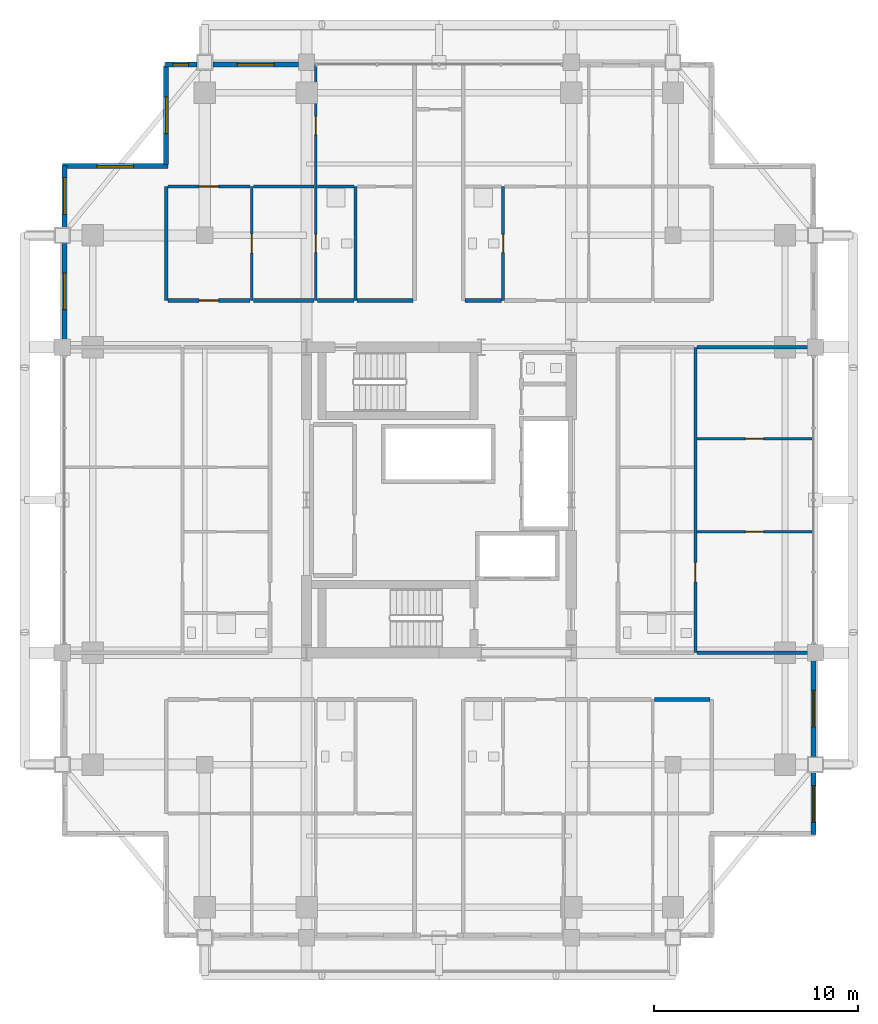
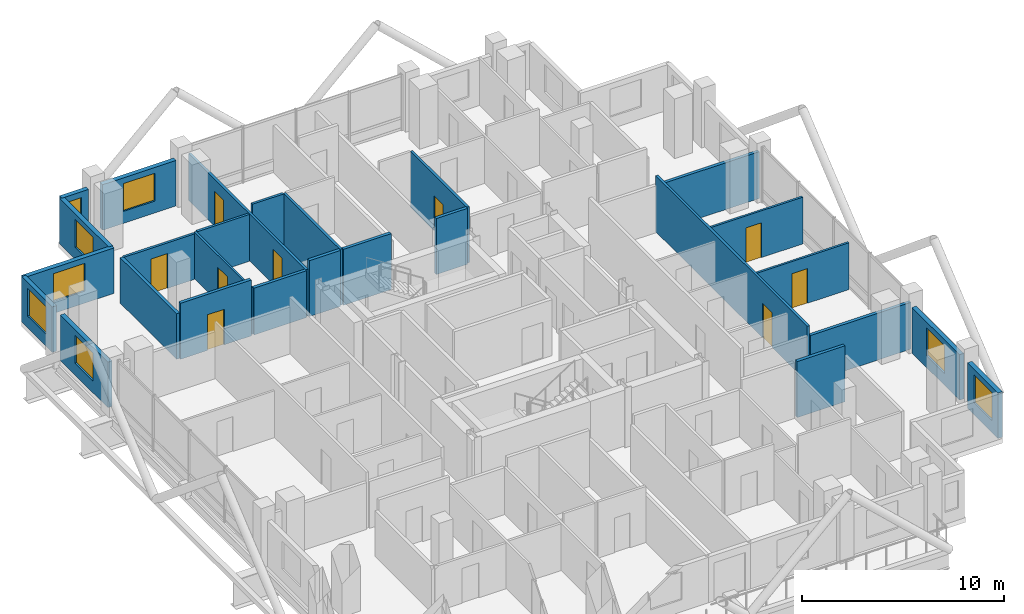
# One storey, part 19 of 23: 27 walls, 9 doors, 8 windows, 17 openings.
"""IFC4 building model written with IfcOpenShell, lengths in metres."""

from ifc_helpers import new_model, si_unit, direction, frame, frame_2d, origin, place, context, subcontext, project, spatial, rectangle, extrude, material, layer, layer_set, type_object, element, fill, save


model = new_model("IFC4")

# Units and contexts
model_context = context("Model", 3, precision=1e-05, world=origin(), true_north=direction((0.0, 1.0)))
body_context = subcontext(model_context, "Body", "Model", "MODEL_VIEW")
ifc_project = project(units=[si_unit("LENGTHUNIT", "METRE"), si_unit("AREAUNIT", "SQUARE_METRE"), si_unit("VOLUMEUNIT", "CUBIC_METRE"), si_unit("PLANEANGLEUNIT", "RADIAN"), si_unit("MASSUNIT", "GRAM", prefix="KILO")], contexts=[model_context])

# Site, building, storey
site_placement = place(None, origin())
site = spatial("IfcSite", under=ifc_project, at=site_placement, CompositionType="ELEMENT")
building_placement = place(site_placement, origin())
building = spatial("IfcBuilding", under=site, at=building_placement, Name="Barlavira Tower and Art Museum", CompositionType="ELEMENT")
storey_placement = place(building_placement, frame((0.0, 0.0, 165.60009765625)))
storey = spatial("IfcBuildingStorey", under=building, at=storey_placement, Name="L42", CompositionType="ELEMENT", Elevation=165.60009765625)

# Wall, opening, door
ifc_material_1 = material(Name="Gypsum acoustic stud partition", Category="gypsum")
ifc_layer_1 = layer(ifc_material_1, 0.1201171875, Name="Gypsum acoustic stud partition")
ifc_layer_set_1 = layer_set([ifc_layer_1], Name="Gypsum acoustic stud partition")
wall_type_1 = type_object("IfcWallType", Name="Apartment Internal Acoustic Partition 120", PredefinedType="PARTITIONING", material=ifc_layer_set_1)
wall_1_placement = place(storey_placement, frame((-9.199951171875, 9.800048828125, 0.0), z_axis=(0.0, 0.0, 1.0), x_axis=(0.0, 1.0, 0.0)))
wall_1 = element("IfcWall", 1, at=wall_1_placement, inside=storey, type_object=wall_type_1, Name="L42 Partition Wall 5", PredefinedType="PARTITIONING", context=body_context, shape_type="SweptSolid", body=[
    extrude(rectangle(XDim=5.599853515625, YDim=0.1201171875, at=frame_2d((2.7998046875, 0.0))), origin(), (0.0, 0.0, 1.0), 2.825927734375),
])
opening_1_placement = place(wall_1_placement, frame((2.324951171875, 0.0, 0.0)))
opening_1 = element("IfcOpeningElement", 2, at=opening_1_placement, cuts=wall_1, Name="Opening D-02", PredefinedType="OPENING", context=body_context, shape_type="SweptSolid", body=[
    extrude(rectangle(XDim=0.949951171875, YDim=2.10009765625, at=frame_2d((0.47509765625, 1.050048828125))), frame((0.0, 0.070068359375, 0.0), z_axis=(0.0, -1.0, 0.0), x_axis=(1.0, 0.0, 0.0)), (0.0, 0.0, 1.0), 0.14013671875),
])
ifc_material_2 = material(Name="Engineered coastal hardwood", Category="wood")
door_type_1 = type_object("IfcDoorType", Name="Living and Salon Glazed-Leaf Door 950x2100", OperationType="NOTDEFINED", PredefinedType="DOOR", material=ifc_material_2)
door_1_placement = place(opening_1_placement, origin())
door_1 = element("IfcDoor", 3, at=door_1_placement, inside=storey, type_object=door_type_1, Name="Apartment NW1 Kitchen Door", OperationType="SINGLE_SWING_LEFT", OverallHeight=2.10009765625, OverallWidth=0.949951171875, PredefinedType="DOOR", context=body_context, shape_type="SweptSolid", body=[
    extrude(rectangle(XDim=0.949951171875, YDim=2.10009765625, at=frame_2d((0.47509765625, 1.050048828125))), frame((0.0, 0.02490234375, 0.0), z_axis=(0.0, -1.0, 0.0), x_axis=(1.0, 0.0, 0.0)), (0.0, 0.0, 1.0), 0.050048828125),
])
fill(opening_1, door_1)

wall_2_placement = place(storey_placement, frame((12.679931640625, -1.550048828125, 0.0), z_axis=(0.0, 0.0, 1.0), x_axis=(1.0, 0.0, 0.0)))
wall_2 = element("IfcWall", 4, at=wall_2_placement, inside=storey, type_object=wall_type_1, Name="L42 Partition Wall 55", PredefinedType="PARTITIONING", context=body_context, shape_type="SweptSolid", body=[
    extrude(rectangle(XDim=5.64013671875, YDim=0.1201171875, at=frame_2d((2.820068359375, 0.0))), origin(), (0.0, 0.0, 1.0), 2.825927734375),
])
opening_2_placement = place(wall_2_placement, frame((2.3701171875, 0.0, 0.0)))
opening_2 = element("IfcOpeningElement", 5, at=opening_2_placement, cuts=wall_2, Name="Opening D-01", PredefinedType="OPENING", context=body_context, shape_type="SweptSolid", body=[
    extrude(rectangle(XDim=0.89990234375, YDim=2.10009765625, at=frame_2d((0.449951171875, 1.050048828125))), frame((0.0, 0.070068359375, 0.0), z_axis=(0.0, -1.0, 0.0), x_axis=(1.0, 0.0, 0.0)), (0.0, 0.0, 1.0), 0.14013671875),
])
door_type_2 = type_object("IfcDoorType", Name="Internal Bedroom Timber Flush Door 900x2100", OperationType="NOTDEFINED", PredefinedType="DOOR", material=ifc_material_2)
door_2_placement = place(opening_2_placement, origin())
door_2 = element("IfcDoor", 6, at=door_2_placement, inside=storey, type_object=door_type_2, Name="Apartment E1 Bedroom 1 Door", OperationType="SINGLE_SWING_RIGHT", OverallHeight=2.10009765625, OverallWidth=0.89990234375, PredefinedType="DOOR", context=body_context, shape_type="SweptSolid", body=[
    extrude(rectangle(XDim=0.89990234375, YDim=2.10009765625, at=frame_2d((0.449951171875, 1.050048828125))), frame((0.0, 0.02490234375, 0.0), z_axis=(0.0, -1.0, 0.0), x_axis=(1.0, 0.0, 0.0)), (0.0, 0.0, 1.0), 0.050048828125),
])
fill(opening_2, door_2)

wall_3_placement = place(storey_placement, frame((12.679931640625, 3.0, 0.0), z_axis=(0.0, 0.0, 1.0), x_axis=(1.0, 0.0, 0.0)))
wall_3 = element("IfcWall", 7, at=wall_3_placement, inside=storey, type_object=wall_type_1, Name="L42 Partition Wall 59", PredefinedType="PARTITIONING", context=body_context, shape_type="SweptSolid", body=[
    extrude(rectangle(XDim=5.64013671875, YDim=0.1201171875, at=frame_2d((2.820068359375, 0.0))), origin(), (0.0, 0.0, 1.0), 2.825927734375),
])
opening_3_placement = place(wall_3_placement, frame((2.3701171875, 0.0, 0.0)))
opening_3 = element("IfcOpeningElement", 8, at=opening_3_placement, cuts=wall_3, Name="Opening D-01", PredefinedType="OPENING", context=body_context, shape_type="SweptSolid", body=[
    extrude(rectangle(XDim=0.89990234375, YDim=2.10009765625, at=frame_2d((0.449951171875, 1.050048828125))), frame((0.0, 0.070068359375, 0.0), z_axis=(0.0, -1.0, 0.0), x_axis=(1.0, 0.0, 0.0)), (0.0, 0.0, 1.0), 0.14013671875),
])
door_3_placement = place(opening_3_placement, origin())
door_3 = element("IfcDoor", 9, at=door_3_placement, inside=storey, type_object=door_type_2, Name="Apartment E1 Bedroom 2 Door", OperationType="SINGLE_SWING_LEFT", OverallHeight=2.10009765625, OverallWidth=0.89990234375, PredefinedType="DOOR", context=body_context, shape_type="SweptSolid", body=[
    extrude(rectangle(XDim=0.89990234375, YDim=2.10009765625, at=frame_2d((0.449951171875, 1.050048828125))), frame((0.0, 0.02490234375, 0.0), z_axis=(0.0, -1.0, 0.0), x_axis=(1.0, 0.0, 0.0)), (0.0, 0.0, 1.0), 0.050048828125),
])
fill(opening_3, door_3)

# Walls
ifc_layer_2 = layer(ifc_material_1, 0.179931640625, Name="Gypsum acoustic stud partition")
ifc_layer_set_2 = layer_set([ifc_layer_2], Name="Gypsum acoustic stud partition")
wall_type_2 = type_object("IfcWallType", Name="Inter-Tenancy Party Partition Wall 180", PredefinedType="PARTITIONING", material=ifc_layer_set_2)
wall_4_placement = place(storey_placement, frame((-13.39990234375, 9.800048828125, 0.0), z_axis=(0.0, 0.0, 1.0), x_axis=(0.0, 1.0, 0.0)))
element("IfcWall", 10, at=wall_4_placement, inside=storey, type_object=wall_type_2, Name="L42 Partition Wall 2", PredefinedType="PARTITIONING", context=body_context, shape_type="SweptSolid", body=[
    extrude(rectangle(XDim=5.599853515625, YDim=0.179931640625, at=frame_2d((2.7998046875, 0.0))), origin(), (0.0, 0.0, 1.0), 2.747802734375),
])
wall_5_placement = place(storey_placement, frame((10.580078125, -9.800048828125, 0.0), z_axis=(0.0, 0.0, 1.0), x_axis=(1.0, 0.0, 0.0)))
element("IfcWall", 11, at=wall_5_placement, inside=storey, type_object=wall_type_2, Name="L42 Partition Wall 45", PredefinedType="PARTITIONING", context=body_context, shape_type="SweptSolid", body=[
    extrude(rectangle(XDim=2.739990234375, YDim=0.179931640625, at=frame_2d((1.3701171875, 0.0))), origin(), (0.0, 0.0, 1.0), 3.3798828125),
])
for number, where, z_axis, x_axis, name in (
    (12, (12.679931640625, -7.5, 0.0), (0.0, 0.0, 1.0), (1.0, 0.0, 0.0), "L42 Partition Wall 49"),
    (13, (12.679931640625, 7.5, 0.0), (0.0, 0.0, 1.0), (1.0, 0.0, 0.0), "L42 Partition Wall 66"),
):
    element("IfcWall", number, at=place(storey_placement, frame(where, z_axis=z_axis, x_axis=x_axis)), inside=storey, type_object=wall_type_2, Name=name, PredefinedType="PARTITIONING", context=body_context, shape_type="SweptSolid", body=[
        extrude(rectangle(XDim=5.719970703125, YDim=0.179931640625, at=frame_2d((2.85986328125, 0.0))), origin(), (0.0, 0.0, 1.0), 2.825927734375),
    ])

# Wall, opening, door
wall_6_placement = place(storey_placement, frame((-13.320068359375, 9.800048828125, 0.0), z_axis=(0.0, 0.0, 1.0), x_axis=(1.0, 0.0, 0.0)))
wall_6 = element("IfcWall", 14, at=wall_6_placement, inside=storey, type_object=wall_type_2, Name="L42 Partition Wall 67", PredefinedType="PARTITIONING", context=body_context, shape_type="SweptSolid", body=[
    extrude(rectangle(XDim=4.0400390625, YDim=0.179931640625, at=frame_2d((2.02001953125, 0.0))), origin(), (0.0, 0.0, 1.0), 3.3798828125),
])
opening_4_placement = place(wall_6_placement, frame((1.544921875, 0.0, 0.0)))
opening_4 = element("IfcOpeningElement", 15, at=opening_4_placement, cuts=wall_6, Name="Opening FD-60", PredefinedType="OPENING", context=body_context, shape_type="SweptSolid", body=[
    extrude(rectangle(XDim=0.949951171875, YDim=2.14990234375, at=frame_2d((0.47509765625, 1.074951171875))), frame((0.0, 0.10009765625, 0.0), z_axis=(0.0, -1.0, 0.0), x_axis=(1.0, 0.0, 0.0)), (0.0, 0.0, 1.0), 0.199951171875),
])
ifc_material_3 = material(Name="Brushed stainless steel", Category="steel")
door_type_3 = type_object("IfcDoorType", Name="Apartment Entrance and Riser Fire Door 950x2150 FD60S", OperationType="NOTDEFINED", PredefinedType="DOOR", material=ifc_material_3)
door_4_placement = place(opening_4_placement, origin())
door_4 = element("IfcDoor", 16, at=door_4_placement, inside=storey, type_object=door_type_3, Name="Apartment Entrance Hall NW1 Door", OperationType="SINGLE_SWING_RIGHT", OverallHeight=2.14990234375, OverallWidth=0.949951171875, PredefinedType="DOOR", context=body_context, shape_type="SweptSolid", body=[
    extrude(rectangle(XDim=0.949951171875, YDim=2.14990234375, at=frame_2d((0.47509765625, 1.074951171875))), frame((0.0, 0.02490234375, 0.0), z_axis=(0.0, -1.0, 0.0), x_axis=(1.0, 0.0, 0.0)), (0.0, 0.0, 1.0), 0.050048828125),
])
fill(opening_4, door_4)

# Walls
wall_7_placement = place(storey_placement, frame((-9.1201171875, 9.800048828125, 0.0), z_axis=(0.0, 0.0, 1.0), x_axis=(1.0, 0.0, 0.0)))
element("IfcWall", 17, at=wall_7_placement, inside=storey, type_object=wall_type_2, Name="L42 Partition Wall 68", PredefinedType="PARTITIONING", context=body_context, shape_type="SweptSolid", body=[
    extrude(rectangle(XDim=2.990234375, YDim=0.179931640625, at=frame_2d((1.4951171875, 0.0))), origin(), (0.0, 0.0, 1.0), 2.825927734375),
])
wall_8_placement = place(storey_placement, frame((-5.969970703125, 9.800048828125, 0.0), z_axis=(0.0, 0.0, 1.0), x_axis=(1.0, 0.0, 0.0)))
element("IfcWall", 18, at=wall_8_placement, inside=storey, type_object=wall_type_2, Name="L42 Partition Wall 69", PredefinedType="PARTITIONING", context=body_context, shape_type="SweptSolid", body=[
    extrude(rectangle(XDim=1.7900390625, YDim=0.179931640625, at=frame_2d((0.89501953125, 0.0))), origin(), (0.0, 0.0, 1.0), 3.3798828125),
])
wall_9_placement = place(storey_placement, frame((-4.02001953125, 9.800048828125, 0.0), z_axis=(0.0, 0.0, 1.0), x_axis=(1.0, 0.0, 0.0)))
element("IfcWall", 19, at=wall_9_placement, inside=storey, type_object=wall_type_2, Name="L42 Partition Wall 70", PredefinedType="PARTITIONING", context=body_context, shape_type="SweptSolid", body=[
    extrude(rectangle(XDim=2.739990234375, YDim=0.179931640625, at=frame_2d((1.3701171875, 0.0))), origin(), (0.0, 0.0, 1.0), 3.3798828125),
])
wall_10_placement = place(storey_placement, frame((1.280029296875, 9.800048828125, 0.0), z_axis=(0.0, 0.0, 1.0), x_axis=(1.0, 0.0, 0.0)))
element("IfcWall", 20, at=wall_10_placement, inside=storey, type_object=wall_type_2, Name="L42 Partition Wall 71", PredefinedType="PARTITIONING", context=body_context, shape_type="SweptSolid", body=[
    extrude(rectangle(XDim=1.7900390625, YDim=0.179931640625, at=frame_2d((0.89501953125, 0.0))), origin(), (0.0, 0.0, 1.0), 3.3798828125),
])

# Wall, openings, doors
ifc_layer_3 = layer(ifc_material_1, 0.139892578125, Name="Gypsum acoustic stud partition")
ifc_layer_set_3 = layer_set([ifc_layer_3], Name="Gypsum acoustic stud partition")
wall_type_3 = type_object("IfcWallType", Name="Moisture-Resistant Bathroom Partition 140", PredefinedType="PARTITIONING", material=ifc_layer_set_3)
wall_11_placement = place(storey_placement, frame((-6.050048828125, 9.800048828125, 0.0), z_axis=(0.0, 0.0, 1.0), x_axis=(0.0, 1.0, 0.0)))
wall_11 = element("IfcWall", 21, at=wall_11_placement, inside=storey, type_object=wall_type_3, Name="L42 Partition Wall 9", PredefinedType="PARTITIONING", context=body_context, shape_type="SweptSolid", body=[
    extrude(rectangle(XDim=11.599853515625, YDim=0.139892578125, at=frame_2d((5.7998046875, 0.0))), origin(), (0.0, 0.0, 1.0), 2.825927734375),
])
opening_5_placement = place(wall_11_placement, frame((2.35009765625, 0.0, 0.0)))
opening_5 = element("IfcOpeningElement", 22, at=opening_5_placement, cuts=wall_11, Name="Opening D-WC", PredefinedType="OPENING", context=body_context, shape_type="SweptSolid", body=[
    extrude(rectangle(XDim=0.89990234375, YDim=2.10009765625, at=frame_2d((0.449951171875, 1.050048828125))), frame((0.0, 0.080078125, 0.0), z_axis=(0.0, -1.0, 0.0), x_axis=(1.0, 0.0, 0.0)), (0.0, 0.0, 1.0), 0.159912109375),
])
opening_6_placement = place(wall_11_placement, frame((8.14990234375, 0.0, 0.0)))
opening_6 = element("IfcOpeningElement", 23, at=opening_6_placement, cuts=wall_11, Name="Opening D-01", PredefinedType="OPENING", context=body_context, shape_type="SweptSolid", body=[
    extrude(rectangle(XDim=0.89990234375, YDim=2.10009765625, at=frame_2d((0.449951171875, 1.050048828125))), frame((0.0, 0.080078125, 0.0), z_axis=(0.0, -1.0, 0.0), x_axis=(1.0, 0.0, 0.0)), (0.0, 0.0, 1.0), 0.159912109375),
])
door_type_4 = type_object("IfcDoorType", Name="Accessible Bathroom Flush Door 900x2100", OperationType="NOTDEFINED", PredefinedType="DOOR", material=ifc_material_2)
door_5_placement = place(opening_5_placement, origin())
door_5 = element("IfcDoor", 24, at=door_5_placement, inside=storey, type_object=door_type_4, Name="Apartment NW1 Hall Bathroom Door", OperationType="SINGLE_SWING_RIGHT", OverallHeight=2.10009765625, OverallWidth=0.89990234375, PredefinedType="DOOR", context=body_context, shape_type="SweptSolid", body=[
    extrude(rectangle(XDim=0.89990234375, YDim=2.10009765625, at=frame_2d((0.449951171875, 1.050048828125))), frame((0.0, 0.02490234375, 0.0), z_axis=(0.0, -1.0, 0.0), x_axis=(1.0, 0.0, 0.0)), (0.0, 0.0, 1.0), 0.050048828125),
])
fill(opening_5, door_5)
door_6_placement = place(opening_6_placement, origin())
door_6 = element("IfcDoor", 25, at=door_6_placement, inside=storey, type_object=door_type_2, Name="Apartment NW1 Bedroom 1 Door", OperationType="SINGLE_SWING_LEFT", OverallHeight=2.10009765625, OverallWidth=0.89990234375, PredefinedType="DOOR", context=body_context, shape_type="SweptSolid", body=[
    extrude(rectangle(XDim=0.89990234375, YDim=2.10009765625, at=frame_2d((0.449951171875, 1.050048828125))), frame((0.0, 0.02490234375, 0.0), z_axis=(0.0, -1.0, 0.0), x_axis=(1.0, 0.0, 0.0)), (0.0, 0.0, 1.0), 0.050048828125),
])
fill(opening_6, door_6)

# Wall
wall_12_placement = place(storey_placement, frame((-4.10009765625, 9.800048828125, 0.0), z_axis=(0.0, 0.0, 1.0), x_axis=(0.0, 1.0, 0.0)))
element("IfcWall", 26, at=wall_12_placement, inside=storey, type_object=wall_type_3, Name="L42 Partition Wall 12", PredefinedType="PARTITIONING", context=body_context, shape_type="SweptSolid", body=[
    extrude(rectangle(XDim=5.599853515625, YDim=0.139892578125, at=frame_2d((2.7998046875, 0.0))), origin(), (0.0, 0.0, 1.0), 3.3798828125),
])

# Wall, opening, door
wall_13_placement = place(storey_placement, frame((3.14990234375, 9.800048828125, 0.0), z_axis=(0.0, 0.0, 1.0), x_axis=(0.0, 1.0, 0.0)))
wall_13 = element("IfcWall", 27, at=wall_13_placement, inside=storey, type_object=wall_type_3, Name="L42 Partition Wall 18", PredefinedType="PARTITIONING", context=body_context, shape_type="SweptSolid", body=[
    extrude(rectangle(XDim=5.599853515625, YDim=0.139892578125, at=frame_2d((2.7998046875, 0.0))), origin(), (0.0, 0.0, 1.0), 3.3798828125),
])
opening_7_placement = place(wall_13_placement, frame((2.35009765625, 0.0, 0.0)))
opening_7 = element("IfcOpeningElement", 28, at=opening_7_placement, cuts=wall_13, Name="Opening D-WC", PredefinedType="OPENING", context=body_context, shape_type="SweptSolid", body=[
    extrude(rectangle(XDim=0.89990234375, YDim=2.10009765625, at=frame_2d((0.449951171875, 1.050048828125))), frame((0.0, 0.080078125, 0.0), z_axis=(0.0, -1.0, 0.0), x_axis=(1.0, 0.0, 0.0)), (0.0, 0.0, 1.0), 0.159912109375),
])
door_7_placement = place(opening_7_placement, origin())
door_7 = element("IfcDoor", 29, at=door_7_placement, inside=storey, type_object=door_type_4, Name="Apartment NE1 Hall Bathroom Door", OperationType="SINGLE_SWING_RIGHT", OverallHeight=2.10009765625, OverallWidth=0.89990234375, PredefinedType="DOOR", context=body_context, shape_type="SweptSolid", body=[
    extrude(rectangle(XDim=0.89990234375, YDim=2.10009765625, at=frame_2d((0.449951171875, 1.050048828125))), frame((0.0, 0.02490234375, 0.0), z_axis=(0.0, -1.0, 0.0), x_axis=(1.0, 0.0, 0.0)), (0.0, 0.0, 1.0), 0.050048828125),
])
fill(opening_7, door_7)

wall_14_placement = place(storey_placement, frame((12.60009765625, -7.5, 0.0), z_axis=(0.0, 0.0, 1.0), x_axis=(0.0, 1.0, 0.0)))
wall_14 = element("IfcWall", 30, at=wall_14_placement, inside=storey, type_object=wall_type_3, Name="L42 Partition Wall 26", PredefinedType="PARTITIONING", context=body_context, shape_type="SweptSolid", body=[
    extrude(rectangle(XDim=15.0, YDim=0.139892578125, at=frame_2d((7.5, 0.0))), origin(), (0.0, 0.0, 1.0), 3.3798828125),
])
opening_8_placement = place(wall_14_placement, frame((3.47509765625, 0.0, 0.0)))
opening_8 = element("IfcOpeningElement", 31, at=opening_8_placement, cuts=wall_14, Name="Opening D-02", PredefinedType="OPENING", context=body_context, shape_type="SweptSolid", body=[
    extrude(rectangle(XDim=0.949951171875, YDim=2.10009765625, at=frame_2d((0.47509765625, 1.050048828125))), frame((0.0, 0.080078125, 0.0), z_axis=(0.0, -1.0, 0.0), x_axis=(1.0, 0.0, 0.0)), (0.0, 0.0, 1.0), 0.159912109375),
])
door_8_placement = place(opening_8_placement, origin())
door_8 = element("IfcDoor", 32, at=door_8_placement, inside=storey, type_object=door_type_1, Name="Apartment E1 Living Lounge Door", OperationType="SINGLE_SWING_LEFT", OverallHeight=2.10009765625, OverallWidth=0.949951171875, PredefinedType="DOOR", context=body_context, shape_type="SweptSolid", body=[
    extrude(rectangle(XDim=0.949951171875, YDim=2.10009765625, at=frame_2d((0.47509765625, 1.050048828125))), frame((0.0, 0.02490234375, 0.0), z_axis=(0.0, -1.0, 0.0), x_axis=(1.0, 0.0, 0.0)), (0.0, 0.0, 1.0), 0.050048828125),
])
fill(opening_8, door_8)

wall_15_placement = place(storey_placement, frame((-13.320068359375, 15.39990234375, 0.0), z_axis=(0.0, 0.0, 1.0), x_axis=(1.0, 0.0, 0.0)))
wall_15 = element("IfcWall", 33, at=wall_15_placement, inside=storey, type_object=wall_type_3, Name="L42 Partition Wall 75", PredefinedType="PARTITIONING", context=body_context, shape_type="SweptSolid", body=[
    extrude(rectangle(XDim=4.0400390625, YDim=0.139892578125, at=frame_2d((2.02001953125, 0.0))), origin(), (0.0, 0.0, 1.0), 2.747802734375),
])
opening_9_placement = place(wall_15_placement, frame((1.544921875, 0.0, 0.0)))
opening_9 = element("IfcOpeningElement", 34, at=opening_9_placement, cuts=wall_15, Name="Opening D-02", PredefinedType="OPENING", context=body_context, shape_type="SweptSolid", body=[
    extrude(rectangle(XDim=0.949951171875, YDim=2.10009765625, at=frame_2d((0.47509765625, 1.050048828125))), frame((0.0, 0.080078125, 0.0), z_axis=(0.0, -1.0, 0.0), x_axis=(1.0, 0.0, 0.0)), (0.0, 0.0, 1.0), 0.159912109375),
])
door_9_placement = place(opening_9_placement, origin())
door_9 = element("IfcDoor", 35, at=door_9_placement, inside=storey, type_object=door_type_1, Name="Apartment NW1 Living Lounge Door", OperationType="SINGLE_SWING_RIGHT", OverallHeight=2.10009765625, OverallWidth=0.949951171875, PredefinedType="DOOR", context=body_context, shape_type="SweptSolid", body=[
    extrude(rectangle(XDim=0.949951171875, YDim=2.10009765625, at=frame_2d((0.47509765625, 1.050048828125))), frame((0.0, 0.02490234375, 0.0), z_axis=(0.0, -1.0, 0.0), x_axis=(1.0, 0.0, 0.0)), (0.0, 0.0, 1.0), 0.050048828125),
])
fill(opening_9, door_9)

# Walls
wall_16_placement = place(storey_placement, frame((-9.1201171875, 15.39990234375, 0.0), z_axis=(0.0, 0.0, 1.0), x_axis=(1.0, 0.0, 0.0)))
element("IfcWall", 36, at=wall_16_placement, inside=storey, type_object=wall_type_3, Name="L42 Partition Wall 76", PredefinedType="PARTITIONING", context=body_context, shape_type="SweptSolid", body=[
    extrude(rectangle(XDim=2.990234375, YDim=0.139892578125, at=frame_2d((1.4951171875, 0.0))), origin(), (0.0, 0.0, 1.0), 2.825927734375),
])
wall_17_placement = place(storey_placement, frame((-5.969970703125, 15.39990234375, 0.0), z_axis=(0.0, 0.0, 1.0), x_axis=(1.0, 0.0, 0.0)))
element("IfcWall", 37, at=wall_17_placement, inside=storey, type_object=wall_type_3, Name="L42 Partition Wall 77", PredefinedType="PARTITIONING", context=body_context, shape_type="SweptSolid", body=[
    extrude(rectangle(XDim=1.7900390625, YDim=0.139892578125, at=frame_2d((0.89501953125, 0.0))), origin(), (0.0, 0.0, 1.0), 3.3798828125),
])

# Wall, opening, window
ifc_material_4 = material(Name="Precast concrete C40", Category="concrete")
ifc_layer_4 = layer(ifc_material_4, 0.25, Name="Precast concrete C40")
ifc_layer_set_4 = layer_set([ifc_layer_4], Name="Precast concrete C40")
wall_type_4 = type_object("IfcWallType", Name="Notched Corner Spandrel Wall 250 Precast Concrete C40", PredefinedType="SOLIDWALL", material=ifc_layer_set_4)
wall_18_placement = place(storey_placement, frame((-6.89501953125, 21.39990234375, 0.0), z_axis=(0.0, 0.0, 1.0), x_axis=(-1.0, 0.0, 0.0)))
wall_18 = element("IfcWall", 38, at=wall_18_placement, inside=storey, type_object=wall_type_4, Name="L42 Coastal Facade Pier Wall CW3-L42-N-4", PredefinedType="SOLIDWALL", context=body_context, shape_type="SweptSolid", body=[
    extrude(rectangle(XDim=4.2099609375, YDim=0.25, at=frame_2d((2.10498046875, 0.0))), origin(), (0.0, 0.0, 1.0), 2.747802734375),
])
opening_10_placement = place(wall_18_placement, frame((1.205078125, 0.0, 0.719970703125)))
opening_10 = element("IfcOpeningElement", 39, at=opening_10_placement, cuts=wall_18, Name="Opening WN-01", PredefinedType="OPENING", context=body_context, shape_type="SweptSolid", body=[
    extrude(rectangle(XDim=1.800048828125, YDim=1.679931640625, at=frame_2d((0.89990234375, 0.83984375))), frame((0.0, 0.135009765625, 0.0), z_axis=(0.0, -1.0, 0.0), x_axis=(1.0, 0.0, 0.0)), (0.0, 0.0, 1.0), 0.27001953125),
])
ifc_material_5 = material(Name="Low-iron coastal laminated glass", Category="glass")
window_type_1 = type_object("IfcWindowType", Name="Recessed Notch Corner Punch Window 1800x1680", PartitioningType="SINGLE_PANEL", PredefinedType="WINDOW", material=ifc_material_5)
window_1_placement = place(opening_10_placement, origin())
window_1 = element("IfcWindow", 40, at=window_1_placement, inside=storey, type_object=window_type_1, Name="L42 Punched Facade Window EWP-CW3-L42-N-4-1", OverallHeight=1.679931640625, OverallWidth=1.800048828125, PartitioningType="SINGLE_PANEL", PredefinedType="WINDOW", context=body_context, shape_type="SweptSolid", body=[
    extrude(rectangle(XDim=1.800048828125, YDim=1.679931640625, at=frame_2d((0.89990234375, 0.83984375))), frame((0.0, 0.030029296875, 0.0), z_axis=(0.0, -1.0, 0.0), x_axis=(1.0, 0.0, 0.0)), (0.0, 0.0, 1.0), 0.06005859375),
])
fill(opening_10, window_1)

wall_19_placement = place(storey_placement, frame((-11.89501953125, 21.39990234375, 0.0), z_axis=(0.0, 0.0, 1.0), x_axis=(-1.0, 0.0, 0.0)))
wall_19 = element("IfcWall", 41, at=wall_19_placement, inside=storey, type_object=wall_type_4, Name="L42 Coastal Facade Pier Wall CW3-L42-N-5", PredefinedType="SOLIDWALL", context=body_context, shape_type="SweptSolid", body=[
    extrude(rectangle(XDim=1.530029296875, YDim=0.25, at=frame_2d((0.76513671875, 0.0))), origin(), (0.0, 0.0, 1.0), 2.747802734375),
])
opening_11_placement = place(wall_19_placement, frame((0.407958984375, 0.0, 0.719970703125)))
opening_11 = element("IfcOpeningElement", 42, at=opening_11_placement, cuts=wall_19, Name="Opening WN-06", PredefinedType="OPENING", context=body_context, shape_type="SweptSolid", body=[
    extrude(rectangle(XDim=0.760009765625, YDim=1.679931640625, at=frame_2d((0.3798828125, 0.83984375))), frame((0.0, 0.135009765625, 0.0), z_axis=(0.0, -1.0, 0.0), x_axis=(1.0, 0.0, 0.0)), (0.0, 0.0, 1.0), 0.27001953125),
])
window_type_2 = type_object("IfcWindowType", Name="Recessed Narrow Pier Window 760x1680", PartitioningType="SINGLE_PANEL", PredefinedType="WINDOW", material=ifc_material_5)
window_2_placement = place(opening_11_placement, origin())
window_2 = element("IfcWindow", 43, at=window_2_placement, inside=storey, type_object=window_type_2, Name="L42 Punched Facade Window EWP-CW3-L42-N-5-1", OverallHeight=1.679931640625, OverallWidth=0.760009765625, PartitioningType="SINGLE_PANEL", PredefinedType="WINDOW", context=body_context, shape_type="SweptSolid", body=[
    extrude(rectangle(XDim=0.760009765625, YDim=1.679931640625, at=frame_2d((0.3798828125, 0.83984375))), frame((0.0, 0.030029296875, 0.0), z_axis=(0.0, -1.0, 0.0), x_axis=(1.0, 0.0, 0.0)), (0.0, 0.0, 1.0), 0.06005859375),
])
fill(opening_11, window_2)

wall_20_placement = place(storey_placement, frame((-18.39990234375, 16.425048828125, 0.0), z_axis=(0.0, 0.0, 1.0), x_axis=(0.0, -1.0, 0.0)))
wall_20 = element("IfcWall", 44, at=wall_20_placement, inside=storey, type_object=wall_type_4, Name="L42 Coastal Facade Pier Wall CW3-L42-W-1", PredefinedType="SOLIDWALL", context=body_context, shape_type="SweptSolid", body=[
    extrude(rectangle(XDim=3.030029296875, YDim=0.25, at=frame_2d((1.51513671875, 0.0))), origin(), (0.0, 0.0, 1.0), 2.747802734375),
])
opening_12_placement = place(wall_20_placement, frame((0.593017578125, 0.0, 0.719970703125)))
opening_12 = element("IfcOpeningElement", 45, at=opening_12_placement, cuts=wall_20, Name="Opening WN-01", PredefinedType="OPENING", context=body_context, shape_type="SweptSolid", body=[
    extrude(rectangle(XDim=1.800048828125, YDim=1.679931640625, at=frame_2d((0.89990234375, 0.83984375))), frame((0.0, 0.135009765625, 0.0), z_axis=(0.0, -1.0, 0.0), x_axis=(1.0, 0.0, 0.0)), (0.0, 0.0, 1.0), 0.27001953125),
])
window_3_placement = place(opening_12_placement, origin())
window_3 = element("IfcWindow", 46, at=window_3_placement, inside=storey, type_object=window_type_1, Name="L42 Punched Facade Window EWP-CW3-L42-W-1-1", OverallHeight=1.679931640625, OverallWidth=1.800048828125, PartitioningType="SINGLE_PANEL", PredefinedType="WINDOW", context=body_context, shape_type="SweptSolid", body=[
    extrude(rectangle(XDim=1.800048828125, YDim=1.679931640625, at=frame_2d((0.89990234375, 0.83984375))), frame((0.0, 0.030029296875, 0.0), z_axis=(0.0, -1.0, 0.0), x_axis=(1.0, 0.0, 0.0)), (0.0, 0.0, 1.0), 0.06005859375),
])
fill(opening_12, window_3)

wall_21_placement = place(storey_placement, frame((-18.39990234375, 12.60498046875, 0.0), z_axis=(0.0, 0.0, 1.0), x_axis=(0.0, -1.0, 0.0)))
wall_21 = element("IfcWall", 47, at=wall_21_placement, inside=storey, type_object=wall_type_4, Name="L42 Coastal Facade Pier Wall CW3-L42-W-2", PredefinedType="SOLIDWALL", context=body_context, shape_type="SweptSolid", body=[
    extrude(rectangle(XDim=4.7099609375, YDim=0.25, at=frame_2d((2.35498046875, 0.0))), origin(), (0.0, 0.0, 1.0), 2.747802734375),
])
opening_13_placement = place(wall_21_placement, frame((1.455078125, 0.0, 0.719970703125)))
opening_13 = element("IfcOpeningElement", 48, at=opening_13_placement, cuts=wall_21, Name="Opening WN-01", PredefinedType="OPENING", context=body_context, shape_type="SweptSolid", body=[
    extrude(rectangle(XDim=1.800048828125, YDim=1.679931640625, at=frame_2d((0.89990234375, 0.83984375))), frame((0.0, 0.135009765625, 0.0), z_axis=(0.0, -1.0, 0.0), x_axis=(1.0, 0.0, 0.0)), (0.0, 0.0, 1.0), 0.27001953125),
])
window_4_placement = place(opening_13_placement, origin())
window_4 = element("IfcWindow", 49, at=window_4_placement, inside=storey, type_object=window_type_1, Name="L42 Punched Facade Window EWP-CW3-L42-W-2-1", OverallHeight=1.679931640625, OverallWidth=1.800048828125, PartitioningType="SINGLE_PANEL", PredefinedType="WINDOW", context=body_context, shape_type="SweptSolid", body=[
    extrude(rectangle(XDim=1.800048828125, YDim=1.679931640625, at=frame_2d((0.89990234375, 0.83984375))), frame((0.0, 0.030029296875, 0.0), z_axis=(0.0, -1.0, 0.0), x_axis=(1.0, 0.0, 0.0)), (0.0, 0.0, 1.0), 0.06005859375),
])
fill(opening_13, window_4)

wall_22_placement = place(storey_placement, frame((18.39990234375, -16.425048828125, 0.0), z_axis=(0.0, 0.0, 1.0), x_axis=(0.0, 1.0, 0.0)))
wall_22 = element("IfcWall", 50, at=wall_22_placement, inside=storey, type_object=wall_type_4, Name="L42 Coastal Facade Pier Wall CW3-L42-E-1", PredefinedType="SOLIDWALL", context=body_context, shape_type="SweptSolid", body=[
    extrude(rectangle(XDim=3.030029296875, YDim=0.25, at=frame_2d((1.51513671875, 0.0))), origin(), (0.0, 0.0, 1.0), 2.747802734375),
])
opening_14_placement = place(wall_22_placement, frame((0.593017578125, 0.0, 0.719970703125)))
opening_14 = element("IfcOpeningElement", 51, at=opening_14_placement, cuts=wall_22, Name="Opening WN-01", PredefinedType="OPENING", context=body_context, shape_type="SweptSolid", body=[
    extrude(rectangle(XDim=1.800048828125, YDim=1.679931640625, at=frame_2d((0.89990234375, 0.83984375))), frame((0.0, 0.135009765625, 0.0), z_axis=(0.0, -1.0, 0.0), x_axis=(1.0, 0.0, 0.0)), (0.0, 0.0, 1.0), 0.27001953125),
])
window_5_placement = place(opening_14_placement, origin())
window_5 = element("IfcWindow", 52, at=window_5_placement, inside=storey, type_object=window_type_1, Name="L42 Punched Facade Window EWP-CW3-L42-E-1-1", OverallHeight=1.679931640625, OverallWidth=1.800048828125, PartitioningType="SINGLE_PANEL", PredefinedType="WINDOW", context=body_context, shape_type="SweptSolid", body=[
    extrude(rectangle(XDim=1.800048828125, YDim=1.679931640625, at=frame_2d((0.89990234375, 0.83984375))), frame((0.0, 0.030029296875, 0.0), z_axis=(0.0, -1.0, 0.0), x_axis=(1.0, 0.0, 0.0)), (0.0, 0.0, 1.0), 0.06005859375),
])
fill(opening_14, window_5)

wall_23_placement = place(storey_placement, frame((18.39990234375, -12.60498046875, 0.0), z_axis=(0.0, 0.0, 1.0), x_axis=(0.0, 1.0, 0.0)))
wall_23 = element("IfcWall", 53, at=wall_23_placement, inside=storey, type_object=wall_type_4, Name="L42 Coastal Facade Pier Wall CW3-L42-E-2", PredefinedType="SOLIDWALL", context=body_context, shape_type="SweptSolid", body=[
    extrude(rectangle(XDim=4.7099609375, YDim=0.25, at=frame_2d((2.35498046875, 0.0))), origin(), (0.0, 0.0, 1.0), 2.747802734375),
])
opening_15_placement = place(wall_23_placement, frame((1.455078125, 0.0, 0.719970703125)))
opening_15 = element("IfcOpeningElement", 54, at=opening_15_placement, cuts=wall_23, Name="Opening WN-01", PredefinedType="OPENING", context=body_context, shape_type="SweptSolid", body=[
    extrude(rectangle(XDim=1.800048828125, YDim=1.679931640625, at=frame_2d((0.89990234375, 0.83984375))), frame((0.0, 0.135009765625, 0.0), z_axis=(0.0, -1.0, 0.0), x_axis=(1.0, 0.0, 0.0)), (0.0, 0.0, 1.0), 0.27001953125),
])
window_6_placement = place(opening_15_placement, origin())
window_6 = element("IfcWindow", 55, at=window_6_placement, inside=storey, type_object=window_type_1, Name="L42 Punched Facade Window EWP-CW3-L42-E-2-1", OverallHeight=1.679931640625, OverallWidth=1.800048828125, PartitioningType="SINGLE_PANEL", PredefinedType="WINDOW", context=body_context, shape_type="SweptSolid", body=[
    extrude(rectangle(XDim=1.800048828125, YDim=1.679931640625, at=frame_2d((0.89990234375, 0.83984375))), frame((0.0, 0.030029296875, 0.0), z_axis=(0.0, -1.0, 0.0), x_axis=(1.0, 0.0, 0.0)), (0.0, 0.0, 1.0), 0.06005859375),
])
fill(opening_15, window_6)

wall_24_placement = place(storey_placement, frame((-13.39990234375, 21.320068359375, 0.0), z_axis=(0.0, 0.0, 1.0), x_axis=(0.0, -1.0, 0.0)))
wall_24 = element("IfcWall", 56, at=wall_24_placement, inside=storey, type_object=wall_type_4, Name="L42 Notch Corner Wall NW1", PredefinedType="SOLIDWALL", context=body_context, shape_type="SweptSolid", body=[
    extrude(rectangle(XDim=4.840087890625, YDim=0.25, at=frame_2d((2.419921875, 0.0))), origin(), (0.0, 0.0, 1.0), 2.747802734375),
])
opening_16_placement = place(wall_24_placement, frame((1.52001953125, 0.0, 0.719970703125)))
opening_16 = element("IfcOpeningElement", 57, at=opening_16_placement, cuts=wall_24, Name="Opening WN-01", PredefinedType="OPENING", context=body_context, shape_type="SweptSolid", body=[
    extrude(rectangle(XDim=1.800048828125, YDim=1.679931640625, at=frame_2d((0.89990234375, 0.83984375))), frame((0.0, 0.135009765625, 0.0), z_axis=(0.0, -1.0, 0.0), x_axis=(1.0, 0.0, 0.0)), (0.0, 0.0, 1.0), 0.27001953125),
])
window_7_placement = place(opening_16_placement, origin())
window_7 = element("IfcWindow", 58, at=window_7_placement, inside=storey, type_object=window_type_1, Name="L42 Punched Facade Window EW-NTC-L42-NW1-1", OverallHeight=1.679931640625, OverallWidth=1.800048828125, PartitioningType="SINGLE_PANEL", PredefinedType="WINDOW", context=body_context, shape_type="SweptSolid", body=[
    extrude(rectangle(XDim=1.800048828125, YDim=1.679931640625, at=frame_2d((0.89990234375, 0.83984375))), frame((0.0, 0.030029296875, 0.0), z_axis=(0.0, -1.0, 0.0), x_axis=(1.0, 0.0, 0.0)), (0.0, 0.0, 1.0), 0.06005859375),
])
fill(opening_16, window_7)

wall_25_placement = place(storey_placement, frame((-13.320068359375, 16.39990234375, 0.0), z_axis=(0.0, 0.0, 1.0), x_axis=(-1.0, 0.0, 0.0)))
wall_25 = element("IfcWall", 59, at=wall_25_placement, inside=storey, type_object=wall_type_4, Name="L42 Notch Corner Wall NW2", PredefinedType="SOLIDWALL", context=body_context, shape_type="SweptSolid", body=[
    extrude(rectangle(XDim=5.159912109375, YDim=0.25, at=frame_2d((2.580078125, 0.0))), origin(), (0.0, 0.0, 1.0), 2.747802734375),
])
opening_17_placement = place(wall_25_placement, frame((1.679931640625, 0.0, 0.719970703125)))
opening_17 = element("IfcOpeningElement", 60, at=opening_17_placement, cuts=wall_25, Name="Opening WN-01", PredefinedType="OPENING", context=body_context, shape_type="SweptSolid", body=[
    extrude(rectangle(XDim=1.800048828125, YDim=1.679931640625, at=frame_2d((0.89990234375, 0.83984375))), frame((0.0, 0.135009765625, 0.0), z_axis=(0.0, -1.0, 0.0), x_axis=(1.0, 0.0, 0.0)), (0.0, 0.0, 1.0), 0.27001953125),
])
window_8_placement = place(opening_17_placement, origin())
window_8 = element("IfcWindow", 61, at=window_8_placement, inside=storey, type_object=window_type_1, Name="L42 Punched Facade Window EW-NTC-L42-NW2-1", OverallHeight=1.679931640625, OverallWidth=1.800048828125, PartitioningType="SINGLE_PANEL", PredefinedType="WINDOW", context=body_context, shape_type="SweptSolid", body=[
    extrude(rectangle(XDim=1.800048828125, YDim=1.679931640625, at=frame_2d((0.89990234375, 0.83984375))), frame((0.0, 0.030029296875, 0.0), z_axis=(0.0, -1.0, 0.0), x_axis=(1.0, 0.0, 0.0)), (0.0, 0.0, 1.0), 0.06005859375),
])
fill(opening_17, window_8)

save(model, "model.ifc")
